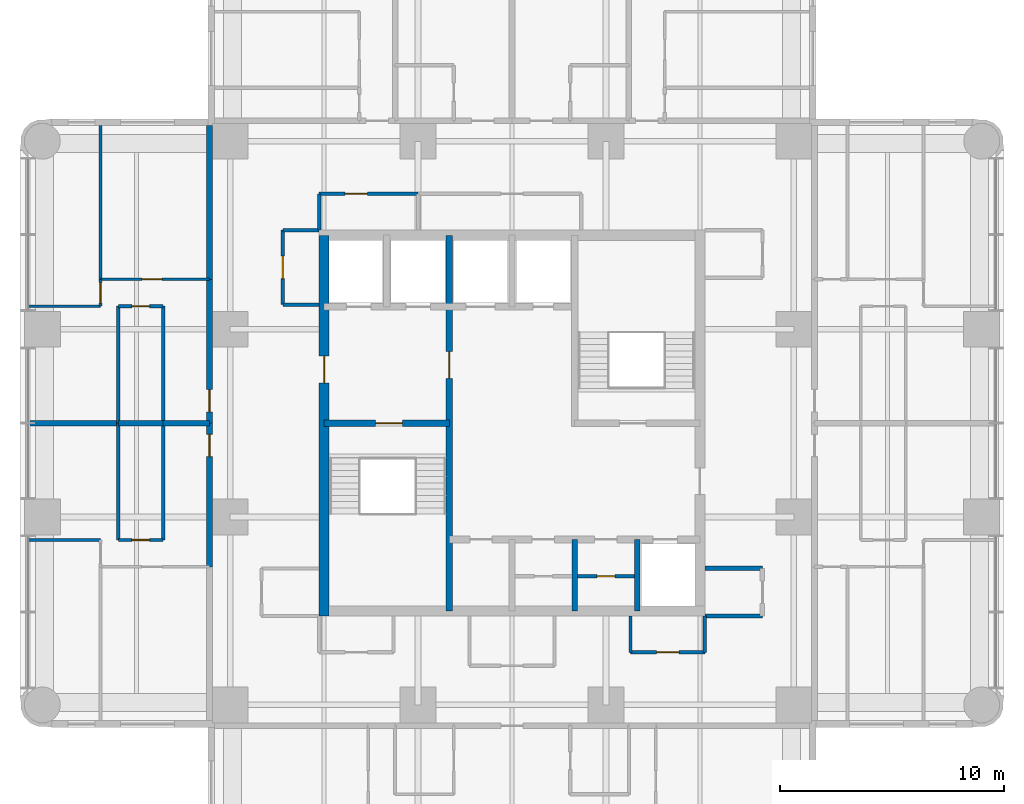
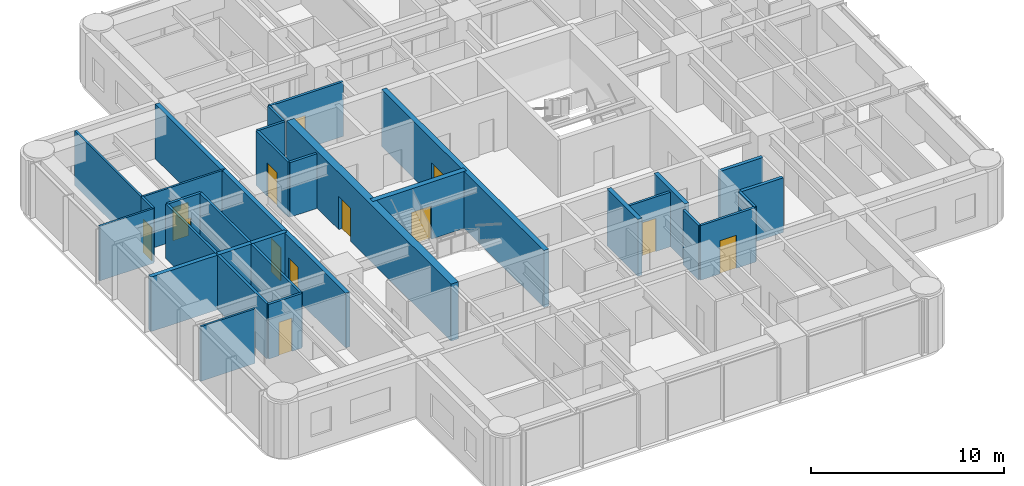
# One storey, part 5 of 10: 33 walls, 13 doors, 13 openings.
"""IFC4 building model written with IfcOpenShell, lengths in metres."""

from ifc_helpers import new_model, si_unit, direction, frame, frame_2d, origin, place, context, subcontext, project, spatial, rectangle, extrude, material, layer, layer_set, type_object, element, fill, save


model = new_model("IFC4")

# Units and contexts
model_context = context("Model", 3, precision=1e-05, world=origin(), true_north=direction((0.0, 1.0)))
body_context = subcontext(model_context, "Body", "Model", "MODEL_VIEW")
ifc_project = project(units=[si_unit("LENGTHUNIT", "METRE"), si_unit("AREAUNIT", "SQUARE_METRE"), si_unit("VOLUMEUNIT", "CUBIC_METRE"), si_unit("PLANEANGLEUNIT", "RADIAN"), si_unit("MASSUNIT", "GRAM", prefix="KILO")], contexts=[model_context])

# Site, building, storey
site_placement = place(None, origin())
site = spatial("IfcSite", under=ifc_project, at=site_placement, CompositionType="ELEMENT")
building_placement = place(site_placement, origin())
building = spatial("IfcBuilding", under=site, at=building_placement, Name="Torre Alcanfor", CompositionType="ELEMENT")
storey_placement = place(building_placement, frame((0.0, 0.0, 257.699951171875)))
storey = spatial("IfcBuildingStorey", under=building, at=storey_placement, Name="L67", CompositionType="ELEMENT", Elevation=257.699951171875)

# Wall, opening, door
ifc_material_1 = material(Name="Concrete block masonry, hollow blocks NMX-C-404 9 MPa", Category="masonry")
ifc_layer_1 = layer(ifc_material_1, 0.25)
ifc_layer_set_1 = layer_set([ifc_layer_1], Name="Apartment entrance wall 250 EI 60")
wall_type_1 = type_object("IfcWallType", Name="Apartment entrance wall 250 EI 60", PredefinedType="PARTITIONING", material=ifc_layer_set_1)
wall_1_placement = place(storey_placement, frame((15.875, 22.970947265625, 0.0), z_axis=(0.0, 0.0, 1.0), x_axis=(0.0, 1.0, 0.0)))
wall_1 = element("IfcWall", 1, at=wall_1_placement, inside=storey, type_object=wall_type_1, Name="Partition L67-CORR / L67-W1-LIVING", PredefinedType="PARTITIONING", context=body_context, shape_type="SweptSolid", body=[
    extrude(rectangle(XDim=6.428955078125, YDim=0.25, at=frame_2d((3.21435546875, 0.0))), origin(), (0.0, 0.0, 1.0), 3.449951171875),
])
opening_1_placement = place(wall_1_placement, frame((4.928955078125, 0.0, 0.0)))
opening_1 = element("IfcOpeningElement", 2, at=opening_1_placement, cuts=wall_1, Name="Opening D-A1", PredefinedType="OPENING", context=body_context, shape_type="SweptSolid", body=[
    extrude(rectangle(XDim=1.0, YDim=2.10009765625, at=frame_2d((0.5, 1.050048828125))), frame((0.0, 0.135009765625, 0.0), z_axis=(0.0, -1.0, 0.0), x_axis=(1.0, 0.0, 0.0)), (0.0, 0.0, 1.0), 0.27001953125),
])
ifc_material_2 = material(Name="Galvanised steel sheet ASTM A653", Category="steel")
door_type_1 = type_object("IfcDoorType", Name="Apartment entrance door FD60 1000x2100", OperationType="SINGLE_SWING_LEFT", PredefinedType="DOOR", material=ifc_material_2)
door_1_placement = place(opening_1_placement, origin())
door_1 = element("IfcDoor", 3, at=door_1_placement, inside=storey, type_object=door_type_1, Name="Apartment entrance L67-W1", OperationType="SINGLE_SWING_RIGHT", OverallHeight=2.10009765625, OverallWidth=1.0, PredefinedType="DOOR", context=body_context, shape_type="SweptSolid", body=[
    extrude(rectangle(XDim=1.0, YDim=2.10009765625, at=frame_2d((0.5, 1.050048828125))), frame((0.0, 0.02490234375, 0.0), z_axis=(0.0, -1.0, 0.0), x_axis=(1.0, 0.0, 0.0)), (0.0, 0.0, 1.0), 0.050048828125),
])
fill(opening_1, door_1)

wall_2_placement = place(storey_placement, frame((15.875, 29.39990234375, 0.0), z_axis=(0.0, 0.0, 1.0), x_axis=(0.0, 1.0, 0.0)))
wall_2 = element("IfcWall", 4, at=wall_2_placement, inside=storey, type_object=wall_type_1, Name="Partition L67-CORR / L67-W2-LIVING", PredefinedType="PARTITIONING", context=body_context, shape_type="SweptSolid", body=[
    extrude(rectangle(XDim=6.42919921875, YDim=0.25, at=frame_2d((3.214599609375, 0.0))), origin(), (0.0, 0.0, 1.0), 3.449951171875),
])
opening_2_placement = place(wall_2_placement, frame((0.5, 0.0, 0.0)))
opening_2 = element("IfcOpeningElement", 5, at=opening_2_placement, cuts=wall_2, Name="Opening D-A1", PredefinedType="OPENING", context=body_context, shape_type="SweptSolid", body=[
    extrude(rectangle(XDim=1.0, YDim=2.10009765625, at=frame_2d((0.5, 1.050048828125))), frame((0.0, 0.135009765625, 0.0), z_axis=(0.0, -1.0, 0.0), x_axis=(1.0, 0.0, 0.0)), (0.0, 0.0, 1.0), 0.27001953125),
])
door_2_placement = place(opening_2_placement, origin())
door_2 = element("IfcDoor", 6, at=door_2_placement, inside=storey, type_object=door_type_1, Name="Apartment entrance L67-W2", OperationType="SINGLE_SWING_LEFT", OverallHeight=2.10009765625, OverallWidth=1.0, PredefinedType="DOOR", context=body_context, shape_type="SweptSolid", body=[
    extrude(rectangle(XDim=1.0, YDim=2.10009765625, at=frame_2d((0.5, 1.050048828125))), frame((0.0, 0.02490234375, 0.0), z_axis=(0.0, -1.0, 0.0), x_axis=(1.0, 0.0, 0.0)), (0.0, 0.0, 1.0), 0.050048828125),
])
fill(opening_2, door_2)

# Walls
wall_3_placement = place(storey_placement, frame((15.875, 35.8291015625, 0.0), z_axis=(0.0, 0.0, 1.0), x_axis=(0.0, 1.0, 0.0)))
element("IfcWall", 7, at=wall_3_placement, inside=storey, type_object=wall_type_1, Name="Partition L67-CORR / L67-W2-BED2", PredefinedType="PARTITIONING", context=body_context, shape_type="SweptSolid", body=[
    extrude(rectangle(XDim=6.870849609375, YDim=0.25, at=frame_2d((3.435546875, 0.0))), origin(), (0.0, 0.0, 1.0), 3.449951171875),
])
ifc_material_3 = material(Name="Gypsum board on steel studs", Category="steel")
ifc_layer_2 = layer(ifc_material_3, 0.1201171875)
ifc_layer_set_2 = layer_set([ifc_layer_2], Name="Apartment partition 120")
wall_type_2 = type_object("IfcWallType", Name="Apartment partition 120", PredefinedType="PARTITIONING", material=ifc_layer_set_2)
wall_4_placement = place(storey_placement, frame((11.0, 24.1708984375, 0.0), z_axis=(0.0, 0.0, 1.0), x_axis=(-1.0, 0.0, 0.0)))
element("IfcWall", 8, at=wall_4_placement, inside=storey, type_object=wall_type_2, Name="Partition L67-W1-LIVING / L67-W1-MASTER", PredefinedType="PARTITIONING", context=body_context, shape_type="SweptSolid", body=[
    extrude(rectangle(XDim=3.25, YDim=0.1201171875, at=frame_2d((1.625, 0.0))), origin(), (0.0, 0.0, 1.0), 3.449951171875),
])

# Wall, opening, door
wall_5_placement = place(storey_placement, frame((11.0, 35.8291015625, 0.0), z_axis=(0.0, 0.0, 1.0), x_axis=(1.0, 0.0, 0.0)))
wall_5 = element("IfcWall", 9, at=wall_5_placement, inside=storey, type_object=wall_type_2, Name="Partition L67-W2-LIVING / L67-W2-BED2", PredefinedType="PARTITIONING", context=body_context, shape_type="SweptSolid", body=[
    extrude(rectangle(XDim=4.875, YDim=0.1201171875, at=frame_2d((2.4375, 0.0))), origin(), (0.0, 0.0, 1.0), 3.449951171875),
])
opening_3_placement = place(wall_5_placement, frame((1.85009765625, 0.0, 0.0)))
opening_3 = element("IfcOpeningElement", 10, at=opening_3_placement, cuts=wall_5, Name="Opening D-R1", PredefinedType="OPENING", context=body_context, shape_type="SweptSolid", body=[
    extrude(rectangle(XDim=0.89990234375, YDim=2.10009765625, at=frame_2d((0.449951171875, 1.050048828125))), frame((0.0, 0.070068359375, 0.0), z_axis=(0.0, -1.0, 0.0), x_axis=(1.0, 0.0, 0.0)), (0.0, 0.0, 1.0), 0.14013671875),
])
ifc_material_4 = material(Name="Timber", Category="wood")
door_type_2 = type_object("IfcDoorType", Name="Internal door 900x2100", OperationType="SINGLE_SWING_LEFT", PredefinedType="DOOR", material=ifc_material_4)
door_3_placement = place(opening_3_placement, origin())
door_3 = element("IfcDoor", 11, at=door_3_placement, inside=storey, type_object=door_type_2, Name="Door L67-W2 bed2", OperationType="SINGLE_SWING_LEFT", OverallHeight=2.10009765625, OverallWidth=0.89990234375, PredefinedType="DOOR", context=body_context, shape_type="SweptSolid", body=[
    extrude(rectangle(XDim=0.89990234375, YDim=2.10009765625, at=frame_2d((0.449951171875, 1.050048828125))), frame((0.0, 0.02490234375, 0.0), z_axis=(0.0, -1.0, 0.0), x_axis=(1.0, 0.0, 0.0)), (0.0, 0.0, 1.0), 0.050048828125),
])
fill(opening_3, door_3)

# Wall
wall_6_placement = place(storey_placement, frame((7.75, 34.62890625, 0.0), z_axis=(0.0, 0.0, 1.0), x_axis=(1.0, 0.0, 0.0)))
element("IfcWall", 12, at=wall_6_placement, inside=storey, type_object=wall_type_2, Name="Partition L67-W2-LIVING / L67-W2-MASTER", PredefinedType="PARTITIONING", context=body_context, shape_type="SweptSolid", body=[
    extrude(rectangle(XDim=3.25, YDim=0.1201171875, at=frame_2d((1.625, 0.0))), origin(), (0.0, 0.0, 1.0), 3.449951171875),
])

# Wall, opening, door
wall_7_placement = place(storey_placement, frame((11.0, 34.62890625, 0.0), z_axis=(0.0, 0.0, 1.0), x_axis=(0.0, 1.0, 0.0)))
wall_7 = element("IfcWall", 13, at=wall_7_placement, inside=storey, type_object=wall_type_2, Name="Partition L67-W2-LIVING / L67-W2-MASTER", PredefinedType="PARTITIONING", context=body_context, shape_type="SweptSolid", body=[
    extrude(rectangle(XDim=1.2001953125, YDim=0.1201171875, at=frame_2d((0.60009765625, 0.0))), origin(), (0.0, 0.0, 1.0), 3.449951171875),
])
opening_4_placement = place(wall_7_placement, frame((0.15087890625, 0.0, 0.0)))
opening_4 = element("IfcOpeningElement", 14, at=opening_4_placement, cuts=wall_7, Name="Opening D-R1", PredefinedType="OPENING", context=body_context, shape_type="SweptSolid", body=[
    extrude(rectangle(XDim=0.89990234375, YDim=2.10009765625, at=frame_2d((0.449951171875, 1.050048828125))), frame((0.0, 0.070068359375, 0.0), z_axis=(0.0, -1.0, 0.0), x_axis=(1.0, 0.0, 0.0)), (0.0, 0.0, 1.0), 0.14013671875),
])
door_4_placement = place(opening_4_placement, origin())
door_4 = element("IfcDoor", 15, at=door_4_placement, inside=storey, type_object=door_type_2, Name="Door L67-W2 master", OperationType="SINGLE_SWING_LEFT", OverallHeight=2.10009765625, OverallWidth=0.89990234375, PredefinedType="DOOR", context=body_context, shape_type="SweptSolid", body=[
    extrude(rectangle(XDim=0.89990234375, YDim=2.10009765625, at=frame_2d((0.449951171875, 1.050048828125))), frame((0.0, 0.02490234375, 0.0), z_axis=(0.0, -1.0, 0.0), x_axis=(1.0, 0.0, 0.0)), (0.0, 0.0, 1.0), 0.050048828125),
])
fill(opening_4, door_4)

# Wall
wall_8_placement = place(storey_placement, frame((11.0, 35.8291015625, 0.0), z_axis=(0.0, 0.0, 1.0), x_axis=(0.0, 1.0, 0.0)))
element("IfcWall", 16, at=wall_8_placement, inside=storey, type_object=wall_type_2, Name="Partition L67-W2-BED2 / L67-W2-MASTER", PredefinedType="PARTITIONING", context=body_context, shape_type="SweptSolid", body=[
    extrude(rectangle(XDim=6.870849609375, YDim=0.1201171875, at=frame_2d((3.435546875, 0.0))), origin(), (0.0, 0.0, 1.0), 3.449951171875),
])

# Wall, opening, door
ifc_material_5 = material(Name="Concrete f'c 70 MPa", Category="concrete")
ifc_layer_3 = layer(ifc_material_5, 0.300048828125)
ifc_layer_set_3 = layer_set([ifc_layer_3], Name="Core inner wall 300 f'c70")
wall_type_3 = type_object("IfcWallType", Name="Core inner wall 300 f'c70", PredefinedType="SHEAR", material=ifc_layer_set_3)
wall_9_placement = place(storey_placement, frame((26.60009765625, 21.0, 0.0), z_axis=(0.0, 0.0, 1.0), x_axis=(0.0, 1.0, 0.0)))
wall_9 = element("IfcWall", 17, at=wall_9_placement, inside=storey, type_object=wall_type_3, Name="Core wall X266 L67", PredefinedType="SHEAR", context=body_context, shape_type="SweptSolid", body=[
    extrude(rectangle(XDim=16.800048828125, YDim=0.300048828125, at=frame_2d((8.39990234375, 0.0))), origin(), (0.0, 0.0, 1.0), 3.60009765625),
])
opening_5_placement = place(wall_9_placement, frame((10.39990234375, 0.0, 0.0)))
opening_5 = element("IfcOpeningElement", 18, at=opening_5_placement, cuts=wall_9, Name="Opening D-L1", PredefinedType="OPENING", context=body_context, shape_type="SweptSolid", body=[
    extrude(rectangle(XDim=1.199951171875, YDim=2.10009765625, at=frame_2d((0.60009765625, 1.050048828125))), frame((0.0, 0.159912109375, 0.0), z_axis=(0.0, -1.0, 0.0), x_axis=(1.0, 0.0, 0.0)), (0.0, 0.0, 1.0), 0.320068359375),
])
ifc_material_6 = material(Name="Galvanised steel sheet ASTM A653", Category="steel")
door_type_3 = type_object("IfcDoorType", Name="Lobby door FD120 1200x2100", OperationType="SINGLE_SWING_LEFT", PredefinedType="DOOR", material=ifc_material_6)
door_5_placement = place(opening_5_placement, origin())
door_5 = element("IfcDoor", 19, at=door_5_placement, inside=storey, type_object=door_type_3, Name="Lift lobby door L67", OperationType="SINGLE_SWING_LEFT", OverallHeight=2.10009765625, OverallWidth=1.199951171875, PredefinedType="DOOR", context=body_context, shape_type="SweptSolid", body=[
    extrude(rectangle(XDim=1.199951171875, YDim=2.10009765625, at=frame_2d((0.60009765625, 1.050048828125))), frame((0.0, 0.02490234375, 0.0), z_axis=(0.0, -1.0, 0.0), x_axis=(1.0, 0.0, 0.0)), (0.0, 0.0, 1.0), 0.050048828125),
])
fill(opening_5, door_5)

wall_10_placement = place(storey_placement, frame((21.0, 29.39990234375, 0.0), z_axis=(0.0, 0.0, 1.0), x_axis=(1.0, 0.0, 0.0)))
wall_10 = element("IfcWall", 20, at=wall_10_placement, inside=storey, type_object=wall_type_3, Name="Core wall Y294W L67", PredefinedType="SHEAR", context=body_context, shape_type="SweptSolid", body=[
    extrude(rectangle(XDim=5.60009765625, YDim=0.300048828125, at=frame_2d((2.800048828125, 0.0))), origin(), (0.0, 0.0, 1.0), 3.60009765625),
])
opening_6_placement = place(wall_10_placement, frame((2.300048828125, 0.0, 0.0)))
opening_6 = element("IfcOpeningElement", 21, at=opening_6_placement, cuts=wall_10, Name="Opening D-S2", PredefinedType="OPENING", context=body_context, shape_type="SweptSolid", body=[
    extrude(rectangle(XDim=1.199951171875, YDim=2.10009765625, at=frame_2d((0.60009765625, 1.050048828125))), frame((0.0, 0.159912109375, 0.0), z_axis=(0.0, -1.0, 0.0), x_axis=(1.0, 0.0, 0.0)), (0.0, 0.0, 1.0), 0.320068359375),
])
ifc_material_7 = material(Name="Galvanised steel sheet ASTM A653", Category="steel")
door_type_4 = type_object("IfcDoorType", Name="Stair enclosure door FD120 1200x2100", OperationType="SINGLE_SWING_LEFT", PredefinedType="DOOR", material=ifc_material_7)
door_6_placement = place(opening_6_placement, frame((1.199951171875, 0.0, 0.0), z_axis=(0.0, 0.0, 1.0), x_axis=(-1.0, 0.0, 0.0)))
door_6 = element("IfcDoor", 22, at=door_6_placement, inside=storey, type_object=door_type_4, Name="Stair S1 door L67", OperationType="SINGLE_SWING_LEFT", OverallHeight=2.10009765625, OverallWidth=1.199951171875, PredefinedType="DOOR", context=body_context, shape_type="SweptSolid", body=[
    extrude(rectangle(XDim=1.199951171875, YDim=2.10009765625, at=frame_2d((0.599853515625, 1.050048828125))), frame((0.0, 0.025146484375, 0.0), z_axis=(0.0, -1.0, 0.0), x_axis=(1.0, 0.0, 0.0)), (0.0, 0.0, 1.0), 0.050048828125),
])
fill(opening_6, door_6)

# Walls
ifc_material_8 = material(Name="Concrete f'c 70 MPa", Category="concrete")
ifc_layer_4 = layer(ifc_material_8, 0.25)
ifc_layer_set_4 = layer_set([ifc_layer_4], Name="Core shaft wall 250 f'c70")
wall_type_4 = type_object("IfcWallType", Name="Core shaft wall 250 f'c70", PredefinedType="SHEAR", material=ifc_layer_set_4)
for number, where, z_axis, x_axis, name in (
    (23, (32.199951171875, 21.0, 0.0), (0.0, 0.0, 1.0), (0.0, 1.0, 0.0), "Core wall X322S L67"),
    (24, (35.0, 21.0, 0.0), (0.0, 0.0, 1.0), (0.0, 1.0, 0.0), "Core wall X350S L67"),
):
    element("IfcWall", number, at=place(storey_placement, frame(where, z_axis=z_axis, x_axis=x_axis)), inside=storey, type_object=wall_type_4, Name=name, PredefinedType="SHEAR", context=body_context, shape_type="SweptSolid", body=[
        extrude(rectangle(XDim=3.199951171875, YDim=0.25, at=frame_2d((1.60009765625, 0.0))), origin(), (0.0, 0.0, 1.0), 3.60009765625),
    ])

# Wall, opening, door
ifc_material_9 = material(Name="Concrete f'c 70 MPa", Category="concrete")
ifc_layer_5 = layer(ifc_material_9, 0.449951171875)
ifc_layer_set_5 = layer_set([ifc_layer_5], Name="Core wall 450 f'c70")
wall_type_5 = type_object("IfcWallType", Name="Core wall 450 f'c70", PredefinedType="SHEAR", material=ifc_layer_set_5)
wall_11_placement = place(storey_placement, frame((21.0, 37.800048828125, 0.0), z_axis=(0.0, 0.0, 1.0), x_axis=(0.0, -1.0, 0.0)))
wall_11 = element("IfcWall", 25, at=wall_11_placement, inside=storey, type_object=wall_type_5, Name="Core wall OUT-W L67", PredefinedType="SHEAR", context=body_context, shape_type="SweptSolid", body=[
    extrude(rectangle(XDim=17.025146484375, YDim=0.449951171875, at=frame_2d((8.5126953125, 0.0))), origin(), (0.0, 0.0, 1.0), 3.60009765625),
])
opening_7_placement = place(wall_11_placement, frame((5.39990234375, 0.0, 0.0)))
opening_7 = element("IfcOpeningElement", 26, at=opening_7_placement, cuts=wall_11, Name="Opening D-L1", PredefinedType="OPENING", context=body_context, shape_type="SweptSolid", body=[
    extrude(rectangle(XDim=1.199951171875, YDim=2.10009765625, at=frame_2d((0.60009765625, 1.050048828125))), frame((0.0, 0.23486328125, 0.0), z_axis=(0.0, -1.0, 0.0), x_axis=(1.0, 0.0, 0.0)), (0.0, 0.0, 1.0), 0.469970703125),
])
door_7_placement = place(opening_7_placement, origin())
door_7 = element("IfcDoor", 27, at=door_7_placement, inside=storey, type_object=door_type_3, Name="Firefighting lobby door L67", OperationType="SINGLE_SWING_RIGHT", OverallHeight=2.10009765625, OverallWidth=1.199951171875, PredefinedType="DOOR", context=body_context, shape_type="SweptSolid", body=[
    extrude(rectangle(XDim=1.199951171875, YDim=2.10009765625, at=frame_2d((0.60009765625, 1.050048828125))), frame((0.0, 0.02490234375, 0.0), z_axis=(0.0, -1.0, 0.0), x_axis=(1.0, 0.0, 0.0)), (0.0, 0.0, 1.0), 0.050048828125),
])
fill(opening_7, door_7)

# Walls
ifc_material_10 = material(Name="Concrete block masonry, hollow blocks NMX-C-404 9 MPa", Category="masonry")
ifc_layer_6 = layer(ifc_material_10, 0.25)
ifc_layer_set_6 = layer_set([ifc_layer_6], Name="Party wall 250 EI 60")
wall_type_6 = type_object("IfcWallType", Name="Party wall 250 EI 60", PredefinedType="PARTITIONING", material=ifc_layer_set_6)
wall_12_placement = place(storey_placement, frame((13.800048828125, 29.39990234375, 0.0), z_axis=(0.0, 0.0, 1.0), x_axis=(-1.0, 0.0, 0.0)))
element("IfcWall", 28, at=wall_12_placement, inside=storey, type_object=wall_type_6, Name="Partition L67-W1-BATH / L67-W2-BATH", PredefinedType="PARTITIONING", context=body_context, shape_type="SweptSolid", body=[
    extrude(rectangle(XDim=2.0, YDim=0.25, at=frame_2d((1.0, 0.0))), origin(), (0.0, 0.0, 1.0), 3.449951171875),
])
wall_13_placement = place(storey_placement, frame((7.75, 29.39990234375, 0.0), z_axis=(0.0, 0.0, 1.0), x_axis=(1.0, 0.0, 0.0)))
element("IfcWall", 29, at=wall_13_placement, inside=storey, type_object=wall_type_6, Name="Partition L67-W1-LIVING / L67-W2-LIVING", PredefinedType="PARTITIONING", context=body_context, shape_type="SweptSolid", body=[
    extrude(rectangle(XDim=4.050048828125, YDim=0.25, at=frame_2d((2.02490234375, 0.0))), origin(), (0.0, 0.0, 1.0), 3.449951171875),
])
wall_14_placement = place(storey_placement, frame((13.800048828125, 29.39990234375, 0.0), z_axis=(0.0, 0.0, 1.0), x_axis=(1.0, 0.0, 0.0)))
element("IfcWall", 30, at=wall_14_placement, inside=storey, type_object=wall_type_6, Name="Partition L67-W1-LIVING / L67-W2-LIVING", PredefinedType="PARTITIONING", context=body_context, shape_type="SweptSolid", body=[
    extrude(rectangle(XDim=2.074951171875, YDim=0.25, at=frame_2d((1.03759765625, 0.0))), origin(), (0.0, 0.0, 1.0), 3.449951171875),
])
ifc_material_11 = material(Name="Concrete block masonry, hollow blocks NMX-C-404 9 MPa", Category="masonry")
ifc_layer_7 = layer(ifc_material_11, 0.199951171875)
ifc_layer_set_7 = layer_set([ifc_layer_7], Name="Plant room wall 200 EI 60")
wall_type_7 = type_object("IfcWallType", Name="Plant room wall 200 EI 60", PredefinedType="PARTITIONING", material=ifc_layer_set_7)
for number, where, z_axis, x_axis, name in (
    (31, (38.02490234375, 20.77490234375, 0.0), (0.0, 0.0, 1.0), (1.0, 0.0, 0.0), "Partition L67-CORR / L67-G03"),
    (32, (40.60009765625, 22.89990234375, 0.0), (0.0, 0.0, 1.0), (-1.0, 0.0, 0.0), "Partition L67-CORR / L67-G03"),
):
    element("IfcWall", number, at=place(storey_placement, frame(where, z_axis=z_axis, x_axis=x_axis)), inside=storey, type_object=wall_type_7, Name=name, PredefinedType="PARTITIONING", context=body_context, shape_type="SweptSolid", body=[
        extrude(rectangle(XDim=2.5751953125, YDim=0.199951171875, at=frame_2d((1.28759765625, 0.0))), origin(), (0.0, 0.0, 1.0), 3.449951171875),
    ])

# Wall, opening, door
ifc_material_12 = material(Name="Concrete block masonry, hollow blocks NMX-C-404 9 MPa", Category="masonry")
ifc_layer_8 = layer(ifc_material_12, 0.14990234375)
ifc_layer_set_8 = layer_set([ifc_layer_8], Name="Residents' room partition 150")
wall_type_8 = type_object("IfcWallType", Name="Residents' room partition 150", PredefinedType="PARTITIONING", material=ifc_layer_set_8)
wall_15_placement = place(storey_placement, frame((25.199951171875, 39.64990234375, 0.0), z_axis=(0.0, 0.0, 1.0), x_axis=(-1.0, 0.0, 0.0)))
wall_15 = element("IfcWall", 33, at=wall_15_placement, inside=storey, type_object=wall_type_8, Name="Partition L67-CORR / L67-G01", PredefinedType="PARTITIONING", context=body_context, shape_type="SweptSolid", body=[
    extrude(rectangle(XDim=4.425048828125, YDim=0.14990234375, at=frame_2d((2.21240234375, 0.0))), origin(), (0.0, 0.0, 1.0), 3.449951171875),
])
opening_8_placement = place(wall_15_placement, frame((2.262451171875, 0.0, 0.0)))
opening_8 = element("IfcOpeningElement", 34, at=opening_8_placement, cuts=wall_15, Name="Opening D-M1", PredefinedType="OPENING", context=body_context, shape_type="SweptSolid", body=[
    extrude(rectangle(XDim=1.0, YDim=2.10009765625, at=frame_2d((0.5, 1.050048828125))), frame((0.0, 0.0849609375, 0.0), z_axis=(0.0, -1.0, 0.0), x_axis=(1.0, 0.0, 0.0)), (0.0, 0.0, 1.0), 0.169921875),
])
ifc_material_13 = material(Name="Timber", Category="wood")
door_type_5 = type_object("IfcDoorType", Name="Residents' room door 1000x2100", OperationType="SINGLE_SWING_LEFT", PredefinedType="DOOR", material=ifc_material_13)
door_8_placement = place(opening_8_placement, origin())
door_8 = element("IfcDoor", 35, at=door_8_placement, inside=storey, type_object=door_type_5, Name="Door L67-G01 linen store", OperationType="SINGLE_SWING_RIGHT", OverallHeight=2.10009765625, OverallWidth=1.0, PredefinedType="DOOR", context=body_context, shape_type="SweptSolid", body=[
    extrude(rectangle(XDim=1.0, YDim=2.10009765625, at=frame_2d((0.5, 1.050048828125))), frame((0.0, 0.02490234375, 0.0), z_axis=(0.0, -1.0, 0.0), x_axis=(1.0, 0.0, 0.0)), (0.0, 0.0, 1.0), 0.050048828125),
])
fill(opening_8, door_8)

# Walls
for number, where, z_axis, x_axis, name in (
    (36, (20.77490234375, 39.64990234375, 0.0), (0.0, 0.0, 1.0), (0.0, -1.0, 0.0), "Partition L67-CORR / L67-G01"),
    (37, (34.699951171875, 20.77490234375, 0.0), (0.0, 0.0, 1.0), (0.0, -1.0, 0.0), "Partition L67-CORR / L67-G07"),
):
    element("IfcWall", number, at=place(storey_placement, frame(where, z_axis=z_axis, x_axis=x_axis)), inside=storey, type_object=wall_type_8, Name=name, PredefinedType="PARTITIONING", context=body_context, shape_type="SweptSolid", body=[
        extrude(rectangle(XDim=1.625, YDim=0.14990234375, at=frame_2d((0.8125, 0.0))), origin(), (0.0, 0.0, 1.0), 3.449951171875),
    ])

# Wall, opening, door
wall_16_placement = place(storey_placement, frame((34.699951171875, 19.14990234375, 0.0), z_axis=(0.0, 0.0, 1.0), x_axis=(1.0, 0.0, 0.0)))
wall_16 = element("IfcWall", 38, at=wall_16_placement, inside=storey, type_object=wall_type_8, Name="Partition L67-CORR / L67-G07", PredefinedType="PARTITIONING", context=body_context, shape_type="SweptSolid", body=[
    extrude(rectangle(XDim=3.324951171875, YDim=0.14990234375, at=frame_2d((1.66259765625, 0.0))), origin(), (0.0, 0.0, 1.0), 3.449951171875),
])
opening_9_placement = place(wall_16_placement, frame((1.16259765625, 0.0, 0.0)))
opening_9 = element("IfcOpeningElement", 39, at=opening_9_placement, cuts=wall_16, Name="Opening D-M1", PredefinedType="OPENING", context=body_context, shape_type="SweptSolid", body=[
    extrude(rectangle(XDim=1.0, YDim=2.10009765625, at=frame_2d((0.5, 1.050048828125))), frame((0.0, 0.0849609375, 0.0), z_axis=(0.0, -1.0, 0.0), x_axis=(1.0, 0.0, 0.0)), (0.0, 0.0, 1.0), 0.169921875),
])
door_9_placement = place(opening_9_placement, origin())
door_9 = element("IfcDoor", 40, at=door_9_placement, inside=storey, type_object=door_type_5, Name="Door L67-G07 cleaners' store", OperationType="SINGLE_SWING_LEFT", OverallHeight=2.10009765625, OverallWidth=1.0, PredefinedType="DOOR", context=body_context, shape_type="SweptSolid", body=[
    extrude(rectangle(XDim=1.0, YDim=2.10009765625, at=frame_2d((0.5, 1.050048828125))), frame((0.0, 0.02490234375, 0.0), z_axis=(0.0, -1.0, 0.0), x_axis=(1.0, 0.0, 0.0)), (0.0, 0.0, 1.0), 0.050048828125),
])
fill(opening_9, door_9)

# Walls
for number, where, z_axis, x_axis, name in (
    (41, (38.02490234375, 19.14990234375, 0.0), (0.0, 0.0, 1.0), (0.0, 1.0, 0.0), "Partition L67-CORR / L67-G07"),
    (42, (20.77490234375, 38.02490234375, 0.0), (0.0, 0.0, 1.0), (-1.0, 0.0, 0.0), "Partition L67-CORR / L67-G09"),
):
    element("IfcWall", number, at=place(storey_placement, frame(where, z_axis=z_axis, x_axis=x_axis)), inside=storey, type_object=wall_type_8, Name=name, PredefinedType="PARTITIONING", context=body_context, shape_type="SweptSolid", body=[
        extrude(rectangle(XDim=1.625, YDim=0.14990234375, at=frame_2d((0.8125, 0.0))), origin(), (0.0, 0.0, 1.0), 3.449951171875),
    ])

# Wall, opening, door
wall_17_placement = place(storey_placement, frame((19.14990234375, 38.02490234375, 0.0), z_axis=(0.0, 0.0, 1.0), x_axis=(0.0, -1.0, 0.0)))
wall_17 = element("IfcWall", 43, at=wall_17_placement, inside=storey, type_object=wall_type_8, Name="Partition L67-CORR / L67-G09", PredefinedType="PARTITIONING", context=body_context, shape_type="SweptSolid", body=[
    extrude(rectangle(XDim=3.324951171875, YDim=0.14990234375, at=frame_2d((1.66259765625, 0.0))), origin(), (0.0, 0.0, 1.0), 3.449951171875),
])
opening_10_placement = place(wall_17_placement, frame((1.16259765625, 0.0, 0.0)))
opening_10 = element("IfcOpeningElement", 44, at=opening_10_placement, cuts=wall_17, Name="Opening D-M1", PredefinedType="OPENING", context=body_context, shape_type="SweptSolid", body=[
    extrude(rectangle(XDim=1.0, YDim=2.10009765625, at=frame_2d((0.5, 1.050048828125))), frame((0.0, 0.0849609375, 0.0), z_axis=(0.0, -1.0, 0.0), x_axis=(1.0, 0.0, 0.0)), (0.0, 0.0, 1.0), 0.169921875),
])
door_10_placement = place(opening_10_placement, origin())
door_10 = element("IfcDoor", 45, at=door_10_placement, inside=storey, type_object=door_type_5, Name="Door L67-G09 residents' lockers", OperationType="SINGLE_SWING_LEFT", OverallHeight=2.10009765625, OverallWidth=1.0, PredefinedType="DOOR", context=body_context, shape_type="SweptSolid", body=[
    extrude(rectangle(XDim=1.0, YDim=2.10009765625, at=frame_2d((0.5, 1.050048828125))), frame((0.0, 0.02490234375, 0.0), z_axis=(0.0, -1.0, 0.0), x_axis=(1.0, 0.0, 0.0)), (0.0, 0.0, 1.0), 0.050048828125),
])
fill(opening_10, door_10)

# Wall
wall_18_placement = place(storey_placement, frame((19.14990234375, 34.699951171875, 0.0), z_axis=(0.0, 0.0, 1.0), x_axis=(1.0, 0.0, 0.0)))
element("IfcWall", 46, at=wall_18_placement, inside=storey, type_object=wall_type_8, Name="Partition L67-CORR / L67-G09", PredefinedType="PARTITIONING", context=body_context, shape_type="SweptSolid", body=[
    extrude(rectangle(XDim=1.625, YDim=0.14990234375, at=frame_2d((0.8125, 0.0))), origin(), (0.0, 0.0, 1.0), 3.449951171875),
])

# Wall, opening, door
wall_19_placement = place(storey_placement, frame((32.324951171875, 22.550048828125, 0.0), z_axis=(0.0, 0.0, 1.0), x_axis=(1.0, 0.0, 0.0)))
wall_19 = element("IfcWall", 47, at=wall_19_placement, inside=storey, type_object=wall_type_8, Name="Partition L67-PA3R / L67-PA3C", PredefinedType="PARTITIONING", context=body_context, shape_type="SweptSolid", body=[
    extrude(rectangle(XDim=2.550048828125, YDim=0.14990234375, at=frame_2d((1.27490234375, 0.0))), origin(), (0.0, 0.0, 1.0), 3.449951171875),
])
opening_11_placement = place(wall_19_placement, frame((0.875, 0.0, 0.0)))
opening_11 = element("IfcOpeningElement", 48, at=opening_11_placement, cuts=wall_19, Name="Opening D-R2", PredefinedType="OPENING", context=body_context, shape_type="SweptSolid", body=[
    extrude(rectangle(XDim=0.800048828125, YDim=2.10009765625, at=frame_2d((0.39990234375, 1.050048828125))), frame((0.0, 0.0849609375, 0.0), z_axis=(0.0, -1.0, 0.0), x_axis=(1.0, 0.0, 0.0)), (0.0, 0.0, 1.0), 0.169921875),
])
ifc_material_14 = material(Name="Timber", Category="wood")
door_type_6 = type_object("IfcDoorType", Name="Bathroom door 800x2100", OperationType="SINGLE_SWING_LEFT", PredefinedType="DOOR", material=ifc_material_14)
door_11_placement = place(opening_11_placement, frame((0.800048828125, 0.0, 0.0), z_axis=(0.0, 0.0, 1.0), x_axis=(-1.0, 0.0, 0.0)))
door_11 = element("IfcDoor", 49, at=door_11_placement, inside=storey, type_object=door_type_6, Name="Spares cupboard door L67", OperationType="SINGLE_SWING_RIGHT", OverallHeight=2.10009765625, OverallWidth=0.800048828125, PredefinedType="DOOR", context=body_context, shape_type="SweptSolid", body=[
    extrude(rectangle(XDim=0.800048828125, YDim=2.10009765625, at=frame_2d((0.400146484375, 1.050048828125))), frame((0.0, 0.025146484375, 0.0), z_axis=(0.0, -1.0, 0.0), x_axis=(1.0, 0.0, 0.0)), (0.0, 0.0, 1.0), 0.050048828125),
])
fill(opening_11, door_11)

# Wall
ifc_material_15 = material(Name="Cement board on steel studs", Category="steel")
ifc_layer_9 = layer(ifc_material_15, 0.14990234375)
ifc_layer_set_9 = layer_set([ifc_layer_9], Name="Wet area partition 150")
wall_type_9 = type_object("IfcWallType", Name="Wet area partition 150", PredefinedType="PARTITIONING", material=ifc_layer_set_9)
wall_20_placement = place(storey_placement, frame((11.800048828125, 29.39990234375, 0.0), z_axis=(0.0, 0.0, 1.0), x_axis=(0.0, -1.0, 0.0)))
element("IfcWall", 50, at=wall_20_placement, inside=storey, type_object=wall_type_9, Name="Partition L67-W1-BATH / L67-W1-LIVING", PredefinedType="PARTITIONING", context=body_context, shape_type="SweptSolid", body=[
    extrude(rectangle(XDim=5.22900390625, YDim=0.14990234375, at=frame_2d((2.614501953125, 0.0))), origin(), (0.0, 0.0, 1.0), 3.449951171875),
])

# Wall, opening, door
wall_21_placement = place(storey_placement, frame((11.800048828125, 24.1708984375, 0.0), z_axis=(0.0, 0.0, 1.0), x_axis=(1.0, 0.0, 0.0)))
wall_21 = element("IfcWall", 51, at=wall_21_placement, inside=storey, type_object=wall_type_9, Name="Partition L67-W1-BATH / L67-W1-LIVING", PredefinedType="PARTITIONING", context=body_context, shape_type="SweptSolid", body=[
    extrude(rectangle(XDim=2.0, YDim=0.14990234375, at=frame_2d((1.0, 0.0))), origin(), (0.0, 0.0, 1.0), 3.449951171875),
])
opening_12_placement = place(wall_21_placement, frame((0.60009765625, 0.0, 0.0)))
opening_12 = element("IfcOpeningElement", 52, at=opening_12_placement, cuts=wall_21, Name="Opening D-R2", PredefinedType="OPENING", context=body_context, shape_type="SweptSolid", body=[
    extrude(rectangle(XDim=0.800048828125, YDim=2.10009765625, at=frame_2d((0.39990234375, 1.050048828125))), frame((0.0, 0.0849609375, 0.0), z_axis=(0.0, -1.0, 0.0), x_axis=(1.0, 0.0, 0.0)), (0.0, 0.0, 1.0), 0.169921875),
])
door_12_placement = place(opening_12_placement, origin())
door_12 = element("IfcDoor", 53, at=door_12_placement, inside=storey, type_object=door_type_6, Name="Door L67-W1 bath", OperationType="SINGLE_SWING_LEFT", OverallHeight=2.10009765625, OverallWidth=0.800048828125, PredefinedType="DOOR", context=body_context, shape_type="SweptSolid", body=[
    extrude(rectangle(XDim=0.800048828125, YDim=2.10009765625, at=frame_2d((0.39990234375, 1.050048828125))), frame((0.0, 0.02490234375, 0.0), z_axis=(0.0, -1.0, 0.0), x_axis=(1.0, 0.0, 0.0)), (0.0, 0.0, 1.0), 0.050048828125),
])
fill(opening_12, door_12)

# Walls
for number, where, z_axis, x_axis, name in (
    (54, (13.800048828125, 24.1708984375, 0.0), (0.0, 0.0, 1.0), (0.0, 1.0, 0.0), "Partition L67-W1-BATH / L67-W1-LIVING"),
    (55, (11.800048828125, 29.39990234375, 0.0), (0.0, 0.0, 1.0), (0.0, 1.0, 0.0), "Partition L67-W2-BATH / L67-W2-LIVING"),
):
    element("IfcWall", number, at=place(storey_placement, frame(where, z_axis=z_axis, x_axis=x_axis)), inside=storey, type_object=wall_type_9, Name=name, PredefinedType="PARTITIONING", context=body_context, shape_type="SweptSolid", body=[
        extrude(rectangle(XDim=5.22900390625, YDim=0.14990234375, at=frame_2d((2.614501953125, 0.0))), origin(), (0.0, 0.0, 1.0), 3.449951171875),
    ])

# Wall, opening, door
wall_22_placement = place(storey_placement, frame((11.800048828125, 34.62890625, 0.0), z_axis=(0.0, 0.0, 1.0), x_axis=(1.0, 0.0, 0.0)))
wall_22 = element("IfcWall", 56, at=wall_22_placement, inside=storey, type_object=wall_type_9, Name="Partition L67-W2-BATH / L67-W2-LIVING", PredefinedType="PARTITIONING", context=body_context, shape_type="SweptSolid", body=[
    extrude(rectangle(XDim=2.0, YDim=0.14990234375, at=frame_2d((1.0, 0.0))), origin(), (0.0, 0.0, 1.0), 3.449951171875),
])
opening_13_placement = place(wall_22_placement, frame((0.60009765625, 0.0, 0.0)))
opening_13 = element("IfcOpeningElement", 57, at=opening_13_placement, cuts=wall_22, Name="Opening D-R2", PredefinedType="OPENING", context=body_context, shape_type="SweptSolid", body=[
    extrude(rectangle(XDim=0.800048828125, YDim=2.10009765625, at=frame_2d((0.39990234375, 1.050048828125))), frame((0.0, 0.0849609375, 0.0), z_axis=(0.0, -1.0, 0.0), x_axis=(1.0, 0.0, 0.0)), (0.0, 0.0, 1.0), 0.169921875),
])
door_13_placement = place(opening_13_placement, frame((0.800048828125, 0.0, 0.0), z_axis=(0.0, 0.0, 1.0), x_axis=(-1.0, 0.0, 0.0)))
door_13 = element("IfcDoor", 58, at=door_13_placement, inside=storey, type_object=door_type_6, Name="Door L67-W2 bath", OperationType="SINGLE_SWING_RIGHT", OverallHeight=2.10009765625, OverallWidth=0.800048828125, PredefinedType="DOOR", context=body_context, shape_type="SweptSolid", body=[
    extrude(rectangle(XDim=0.800048828125, YDim=2.10009765625, at=frame_2d((0.400146484375, 1.050048828125))), frame((0.0, 0.025146484375, 0.0), z_axis=(0.0, -1.0, 0.0), x_axis=(1.0, 0.0, 0.0)), (0.0, 0.0, 1.0), 0.050048828125),
])
fill(opening_13, door_13)

# Wall
wall_23_placement = place(storey_placement, frame((13.800048828125, 34.62890625, 0.0), z_axis=(0.0, 0.0, 1.0), x_axis=(0.0, -1.0, 0.0)))
element("IfcWall", 59, at=wall_23_placement, inside=storey, type_object=wall_type_9, Name="Partition L67-W2-BATH / L67-W2-LIVING", PredefinedType="PARTITIONING", context=body_context, shape_type="SweptSolid", body=[
    extrude(rectangle(XDim=5.22900390625, YDim=0.14990234375, at=frame_2d((2.614501953125, 0.0))), origin(), (0.0, 0.0, 1.0), 3.449951171875),
])

save(model, "model.ifc")
